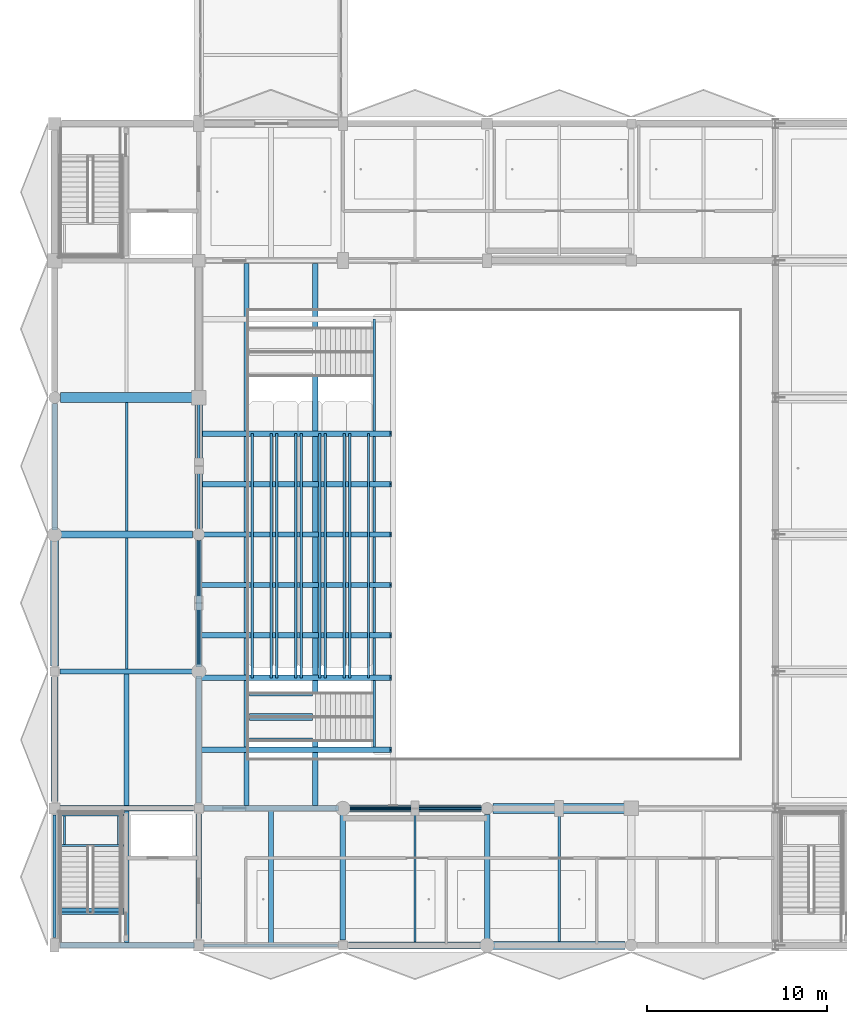
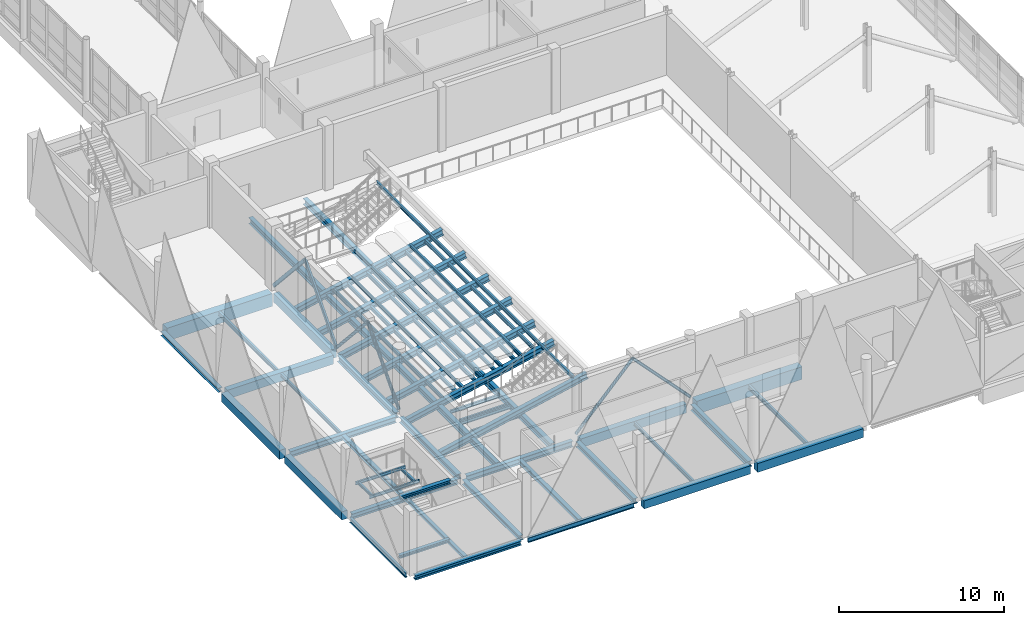
# One storey, part 11 of 141: 58 beams, 6 members.
"""IFC4 building model written with IfcOpenShell, lengths in metres."""

import ifcopenshell
import ifcopenshell.guid

model = None  # the IFC model being written
_history = None  # IfcOwnerHistory: only IFC2X3 demands one
_inside = {}  # id of a spatial element -> (the spatial element, [elements in it])
_under = {}  # id of a project, library or spatial element -> (it, [spatial elements below it])
_declared = {}  # id of a project -> (the project, [libraries it declares])
_typed = {}  # id of a type object -> (the type object, [elements of that type])
_made_of = {}  # id of a material, layer set ... -> (it, [elements and type objects made of it])


def new_model(schema):
    """Start an empty IFC model of exactly this schema.

    Asked for "IFC4X3", IfcOpenShell would pick the latest addendum, in which some entities
    have other attributes; the version numbers below select the first issue.
    IFC2X3 requires an IfcOwnerHistory on every rooted entity: one is made here for all.
    """
    global model, _history
    if schema == "IFC4X3":
        model = ifcopenshell.file(schema_version=(4, 3, 0, 0))
    else:
        model = ifcopenshell.file(schema=schema)
    _inside.clear()
    _under.clear()
    _declared.clear()
    _typed.clear()
    _made_of.clear()
    _history = None
    if model.schema == "IFC2X3":
        org = make("IfcOrganization", Name="unknown")
        user = make(
            "IfcPersonAndOrganization",
            ThePerson=make("IfcPerson", FamilyName="unknown"),
            TheOrganization=org,
        )
        app = make(
            "IfcApplication",
            ApplicationDeveloper=org,
            Version="unknown",
            ApplicationFullName="unknown",
            ApplicationIdentifier="unknown",
        )
        _history = make(
            "IfcOwnerHistory",
            OwningUser=user,
            OwningApplication=app,
            ChangeAction="ADDED",
            CreationDate=0,
        )
    return model


def make(cls, **values):
    """One entity of the class cls with the attributes given. An attribute that is None is left unset."""
    return model.create_entity(
        cls, **{name: value for name, value in values.items() if value is not None}
    )


def rooted(cls, **values):
    """An entity with a GlobalId (a new one), such as an element, a storey or a relation."""
    return make(cls, GlobalId=ifcopenshell.guid.new(), OwnerHistory=_history, **values)


def si_unit(unit_type, name, prefix=None):
    """IfcSIUnit, for example si_unit("LENGTHUNIT", "METRE", prefix="MILLI")."""
    return make("IfcSIUnit", UnitType=unit_type, Prefix=prefix, Name=name)


def assignment(units):
    """IfcUnitAssignment: the units of a project."""
    return None if units is None else make("IfcUnitAssignment", Units=units)


def point(xyz):
    """IfcCartesianPoint."""
    return None if xyz is None else make("IfcCartesianPoint", Coordinates=xyz)


def direction(xyz):
    """IfcDirection."""
    return None if xyz is None else make("IfcDirection", DirectionRatios=xyz)


def frame(location, z_axis=None, x_axis=None):
    """IfcAxis2Placement3D, a coordinate frame: its origin and axes. An axis left out is left unset."""
    return make(
        "IfcAxis2Placement3D",
        Location=point(location),
        Axis=direction(z_axis),
        RefDirection=direction(x_axis),
    )


def frame_2d(location, x_axis=None):
    """IfcAxis2Placement2D, a coordinate frame in the plane: its origin and x axis."""
    return make(
        "IfcAxis2Placement2D", Location=point(location), RefDirection=direction(x_axis)
    )


def origin():
    """The frame at (0, 0, 0) with its axes left unset."""
    return frame((0.0, 0.0, 0.0))


def origin_2d():
    """The frame at (0, 0) in the plane with its x axis left unset."""
    return frame_2d((0.0, 0.0))


def place(relative_to, where):
    """IfcLocalPlacement: puts the frame where relative to a parent placement (None: the world)."""
    return make(
        "IfcLocalPlacement", PlacementRelTo=relative_to, RelativePlacement=where
    )


def context(
    kind, dimensions, precision=None, world=None, true_north=None, identifier=None
):
    """IfcGeometricRepresentationContext, for example the 3D "Model" context."""
    return make(
        "IfcGeometricRepresentationContext",
        ContextIdentifier=identifier,
        ContextType=kind,
        CoordinateSpaceDimension=dimensions,
        Precision=precision,
        WorldCoordinateSystem=world,
        TrueNorth=true_north,
    )


def subcontext(parent, identifier, kind, view, scale=None):
    """IfcGeometricRepresentationSubContext, for example "Body" below "Model"."""
    return make(
        "IfcGeometricRepresentationSubContext",
        ContextIdentifier=identifier,
        ContextType=kind,
        ParentContext=parent,
        TargetScale=scale,
        TargetView=view,
    )


def project(units=None, contexts=None):
    """IfcProject with its units and contexts."""
    return rooted(
        "IfcProject",
        Name="project",
        RepresentationContexts=contexts,
        UnitsInContext=assignment(units),
    )


def spatial(cls, under=None, at=None, **own):
    """A site, building, storey or space (cls), placed at a placement, below another one or the project."""
    s = rooted(cls, ObjectPlacement=at, **own)
    if under is not None:
        _under.setdefault(under.id(), (under, []))[1].append(s)
    return s


def profile(cls, at=None, kind="AREA", **sizes):
    """A parametric profile (cls). Its sizes go by their IFC names, for example OverallWidth=200.0."""
    return make(cls, ProfileType=kind, Position=at, **sizes)


def rectangle(**sizes):
    """IfcRectangleProfileDef."""
    return profile("IfcRectangleProfileDef", **sizes)


def hollow_rectangle(**sizes):
    """IfcRectangleHollowProfileDef."""
    return profile("IfcRectangleHollowProfileDef", **sizes)


def hollow_circle(**sizes):
    """IfcCircleHollowProfileDef."""
    return profile("IfcCircleHollowProfileDef", **sizes)


def i_section(**sizes):
    """IfcIShapeProfileDef."""
    return profile("IfcIShapeProfileDef", **sizes)


def extrude(swept, where, along, depth):
    """IfcExtrudedAreaSolid: the profile swept, set in the frame where, extruded along a direction by depth."""
    return make(
        "IfcExtrudedAreaSolid",
        SweptArea=swept,
        Position=where,
        ExtrudedDirection=direction(along),
        Depth=depth,
    )


def shape(context_of_items, identifier, shape_type, items):
    """IfcShapeRepresentation: the items that make up one representation, for example the "Body"."""
    return make(
        "IfcShapeRepresentation",
        ContextOfItems=context_of_items,
        RepresentationIdentifier=identifier,
        RepresentationType=shape_type,
        Items=items,
    )


def material(Name=None, Category=None):
    """IfcMaterial."""
    return make("IfcMaterial", Name=Name, Category=Category)


def material_profile(
    of_material, cross_section, Name=None, Category=None, Priority=None
):
    """IfcMaterialProfile: a cross section and its material."""
    return make(
        "IfcMaterialProfile",
        Name=Name,
        Material=of_material,
        Profile=cross_section,
        Priority=Priority,
        Category=Category,
    )


def profile_set(profiles, Name=None, composite=None):
    """IfcMaterialProfileSet."""
    return make(
        "IfcMaterialProfileSet",
        Name=Name,
        MaterialProfiles=profiles,
        CompositeProfile=composite,
    )


def made_of(thing, what):
    """Note that an element or type object is made of a material, layer set ...; save() writes the relation."""
    if what is not None:
        _made_of.setdefault(what.id(), (what, []))[1].append(thing)
    return thing


def type_object(cls, material=None, **own):
    """A type object (cls), such as IfcWallType, which elements share."""
    return made_of(rooted(cls, **own), material)


def element(
    cls,
    number,
    at=None,
    inside=None,
    cuts=None,
    type_object=None,
    material=None,
    context=None,
    identifier="Body",
    shape_type=None,
    held_by="IfcProductDefinitionShape",
    body=None,
    shapes=None,
    **own,
):
    """One element of the class cls, such as IfcWall. Its Tag is "e" and its number.

    at: its placement. inside: the storey or other place that contains it. cuts: it is an
    opening in that element (IfcRelVoidsElement). A single representation is given by context,
    identifier, shape_type and body (its items); several are given by shapes. held_by: the class
    of the entity that holds the representations. save() writes the other relations.
    """
    e = rooted(cls, Tag="e%d" % number, ObjectPlacement=at, **own)
    if body is not None:
        shapes = [shape(context, identifier, shape_type, body)]
    if shapes is not None:
        e.Representation = make(held_by, Representations=shapes)
    if inside is not None:
        _inside.setdefault(inside.id(), (inside, []))[1].append(e)
    if cuts is not None:
        rooted(
            "IfcRelVoidsElement", RelatingBuildingElement=cuts, RelatedOpeningElement=e
        )
    if type_object is not None:
        _typed.setdefault(type_object.id(), (type_object, []))[1].append(e)
    return made_of(e, material)


def aggregate(whole, parts):
    """IfcRelAggregates: a whole, such as a stair, and the parts it consists of."""
    return rooted("IfcRelAggregates", RelatingObject=whole, RelatedObjects=parts)


def save(model, path):
    """Write the relations noted so far, then the file.

    IfcRelAggregates (storeys below a building ...), IfcRelContainedInSpatialStructure (elements
    in a storey), IfcRelDefinesByType, IfcRelAssociatesMaterial and IfcRelDeclares: one each for
    every whole, place, type object, material and project.
    """
    for whole, parts in _under.values():
        aggregate(whole, parts)
    for where, things in _inside.values():
        rooted(
            "IfcRelContainedInSpatialStructure",
            RelatedElements=things,
            RelatingStructure=where,
        )
    for kind, things in _typed.values():
        rooted("IfcRelDefinesByType", RelatedObjects=things, RelatingType=kind)
    for what, things in _made_of.values():
        rooted("IfcRelAssociatesMaterial", RelatedObjects=things, RelatingMaterial=what)
    for by, libraries in _declared.values():
        rooted("IfcRelDeclares", RelatingContext=by, RelatedDefinitions=libraries)
    model.write(path)


model = new_model("IFC4")

# Units and contexts
model_context = context("Model", 3, precision=1e-05, world=origin(), true_north=direction((0.0, 1.0)))
body_context = subcontext(model_context, "Body", "Model", "MODEL_VIEW")
ifc_project = project(units=[si_unit("LENGTHUNIT", "METRE"), si_unit("AREAUNIT", "SQUARE_METRE"), si_unit("VOLUMEUNIT", "CUBIC_METRE"), si_unit("PLANEANGLEUNIT", "RADIAN"), si_unit("MASSUNIT", "GRAM", prefix="KILO")], contexts=[model_context])

# Site, building, storey
site_placement = place(None, origin())
site = spatial("IfcSite", under=ifc_project, at=site_placement, CompositionType="ELEMENT")
building_placement = place(site_placement, origin())
building = spatial("IfcBuilding", under=site, at=building_placement, Name="Khelvaren Railside Concert Hall", CompositionType="ELEMENT")
storey_placement = place(building_placement, frame((0.0, 0.0, 10.199951171875)))
storey = spatial("IfcBuildingStorey", under=building, at=storey_placement, Name="L02", CompositionType="ELEMENT", Elevation=10.199951171875)

# Beams
ifc_material_1 = material(Name="Steel S355", Category="steel")
ifc_material_profile_1 = material_profile(ifc_material_1, i_section(OverallWidth=0.300048828125, OverallDepth=0.389892578125, WebThickness=0.010986328125, FlangeThickness=0.01904296875, FilletRadius=0.027099609375, at=origin_2d()), Name="HEA 400")
ifc_profile_set_1 = profile_set([ifc_material_profile_1], Name="Steel S355")
beam_type_1 = type_object("IfcBeamType", Name="BM23", PredefinedType="BEAM", material=ifc_profile_set_1)
beam_1_placement = place(storey_placement, frame((0.25, 7.60009765625, -0.48486328125), z_axis=(1.0, 0.0, 0.0), x_axis=(0.0, 1.0, 0.0)))
element("IfcBeam", 1, at=beam_1_placement, inside=storey, type_object=beam_type_1, Name="V1 L02 Beam X2.1", PredefinedType="BEAM", context=body_context, shape_type="SweptSolid", body=[
    extrude(i_section(OverallWidth=0.300048828125, OverallDepth=0.389892578125, WebThickness=0.010986328125, FlangeThickness=0.01904296875, FilletRadius=0.027099609375, at=origin_2d()), origin(), (0.0, 0.0, 1.0), 7.449951171875),
])
for number, where, z_axis, x_axis, name in (
    (2, (8.0, 7.89990234375, -0.48486328125), (0.0, 1.0, 0.0), (-1.0, 0.0, 0.0), "V1 L02 Beam Y2.2"),
    (3, (16.0, 0.300048828125, -0.48486328125), (0.0, 1.0, 0.0), (-1.0, 0.0, 0.0), "V1 L02 Beam Y3.1"),
):
    element("IfcBeam", number, at=place(storey_placement, frame(where, z_axis=z_axis, x_axis=x_axis)), inside=storey, type_object=beam_type_1, Name=name, PredefinedType="BEAM", context=body_context, shape_type="SweptSolid", body=[
        extrude(i_section(OverallWidth=0.300048828125, OverallDepth=0.389892578125, WebThickness=0.010986328125, FlangeThickness=0.01904296875, FilletRadius=0.027099609375, at=origin_2d()), origin(), (0.0, 0.0, 1.0), 7.050048828125),
    ])
ifc_material_profile_2 = material_profile(ifc_material_1, i_section(OverallWidth=0.1201171875, OverallDepth=0.239990234375, WebThickness=0.006103515625, FlangeThickness=0.009765625, FilletRadius=0.014892578125, at=origin_2d()), Name="IPE 240")
ifc_profile_set_2 = profile_set([ifc_material_profile_2], Name="Steel S355")
beam_type_2 = type_object("IfcBeamType", Name="BM30", PredefinedType="BEAM", material=ifc_profile_set_2)
for number, where, z_axis, x_axis, name in (
    (4, (10.81005859375, 11.449951171875, -0.320068359375), (1.0, 0.0, 0.0), (0.0, 1.0, 0.0), "Vomitory Landing Stringer ST-21-S"),
    (5, (10.81005859375, 12.550048828125, -0.320068359375), (1.0, 0.0, 0.0), (0.0, 1.0, 0.0), "Vomitory Landing Stringer ST-21-N"),
    (6, (10.81005859375, 12.800048828125, -0.320068359375), (1.0, 0.0, 0.0), (0.0, 1.0, 0.0), "Vomitory Landing Stringer ST-22-S"),
    (7, (10.81005859375, 13.89990234375, -0.320068359375), (1.0, 0.0, 0.0), (0.0, 1.0, 0.0), "Vomitory Landing Stringer ST-22-N"),
):
    element("IfcBeam", number, at=place(storey_placement, frame(where, z_axis=z_axis, x_axis=x_axis)), inside=storey, type_object=beam_type_2, Name=name, PredefinedType="BEAM", context=body_context, shape_type="SweptSolid", body=[
        extrude(i_section(OverallWidth=0.1201171875, OverallDepth=0.239990234375, WebThickness=0.006103515625, FlangeThickness=0.009765625, FilletRadius=0.014892578125, at=origin_2d()), origin(), (0.0, 0.0, 1.0), 3.510009765625),
    ])
ifc_material_2 = material(Name="Concrete C40/50", Category="concrete")
ifc_material_profile_3 = material_profile(ifc_material_2, rectangle(XDim=0.39990234375, YDim=0.64990234375, at=origin_2d()), Name="RCB 400x650")
ifc_profile_set_3 = profile_set([ifc_material_profile_3], Name="Concrete C40/50")
beam_type_3 = type_object("IfcBeamType", Name="BM33", PredefinedType="BEAM", material=ifc_profile_set_3)
for number, where, z_axis, x_axis, name in (
    (8, (16.25, 7.60009765625, -0.614990234375), (1.0, 0.0, 0.0), (0.0, 1.0, 0.0), "V1 L02 Beam X2.3"),
    (9, (0.25, 22.800048828125, -0.614990234375), (1.0, 0.0, 0.0), (0.0, 1.0, 0.0), "V1 L02 Beam X4.1"),
):
    element("IfcBeam", number, at=place(storey_placement, frame(where, z_axis=z_axis, x_axis=x_axis)), inside=storey, type_object=beam_type_3, Name=name, PredefinedType="BEAM", context=body_context, shape_type="SweptSolid", body=[
        extrude(rectangle(XDim=0.39990234375, YDim=0.64990234375, at=origin_2d()), origin(), (0.0, 0.0, 1.0), 7.4140625),
    ])
beam_2_placement = place(storey_placement, frame((8.0, 23.135986328125, -0.614990234375), z_axis=(0.0, 1.0, 0.0), x_axis=(-1.0, 0.0, 0.0)))
element("IfcBeam", 10, at=beam_2_placement, inside=storey, type_object=beam_type_3, Name="V1 L02 Beam Y2.4", PredefinedType="BEAM", context=body_context, shape_type="SweptSolid", body=[
    extrude(rectangle(XDim=0.39990234375, YDim=0.64990234375, at=origin_2d()), origin(), (0.0, 0.0, 1.0), 6.990966796875),
])
ifc_material_profile_4 = material_profile(ifc_material_1, i_section(OverallWidth=0.239990234375, OverallDepth=0.22998046875, WebThickness=0.007568359375, FlangeThickness=0.011962890625, FilletRadius=0.02099609375, at=origin_2d()), Name="HEA 240")
ifc_profile_set_4 = profile_set([ifc_material_profile_4], Name="Steel S355")
beam_type_4 = type_object("IfcBeamType", Name="BM42", PredefinedType="BEAM", material=ifc_profile_set_4)
beam_3_placement = place(storey_placement, frame((0.344970703125, 1.960693359375, -0.114990234375), z_axis=(1.0, 0.0, 0.0), x_axis=(0.0, 1.0, 0.0)))
element("IfcBeam", 11, at=beam_3_placement, inside=storey, type_object=beam_type_4, Name="ST-01 L02 Stair Foot Trimmer Beam", PredefinedType="BEAM", context=body_context, shape_type="SweptSolid", body=[
    extrude(i_section(OverallWidth=0.239990234375, OverallDepth=0.22998046875, WebThickness=0.007568359375, FlangeThickness=0.011962890625, FilletRadius=0.02099609375, at=origin_2d()), origin(), (0.0, 0.0, 1.0), 3.4951171875),
])
ifc_material_profile_5 = material_profile(ifc_material_1, i_section(OverallWidth=0.300048828125, OverallDepth=0.35009765625, WebThickness=0.010009765625, FlangeThickness=0.017578125, FilletRadius=0.027099609375, at=origin_2d()), Name="HEA 360")
ifc_profile_set_5 = profile_set([ifc_material_profile_5], Name="Steel S355")
beam_type_5 = type_object("IfcBeamType", Name="BM73", PredefinedType="BEAM", material=ifc_profile_set_5)
beam_4_placement = place(storey_placement, frame((8.0, 0.375, -0.46484375), z_axis=(0.0, 1.0, 0.0), x_axis=(-1.0, 0.0, 0.0)))
element("IfcBeam", 12, at=beam_4_placement, inside=storey, type_object=beam_type_5, Name="V1 L02 Beam Y2.1", PredefinedType="BEAM", context=body_context, shape_type="SweptSolid", body=[
    extrude(i_section(OverallWidth=0.300048828125, OverallDepth=0.35009765625, WebThickness=0.010009765625, FlangeThickness=0.017578125, FilletRadius=0.027099609375, at=origin_2d()), origin(), (0.0, 0.0, 1.0), 6.925048828125),
])
ifc_material_profile_6 = material_profile(ifc_material_1, i_section(OverallWidth=0.110107421875, OverallDepth=0.219970703125, WebThickness=0.005859375, FlangeThickness=0.00927734375, FilletRadius=0.011962890625, at=origin_2d()), Name="IPE 220")
ifc_profile_set_6 = profile_set([ifc_material_profile_6], Name="Steel S355")
beam_type_6 = type_object("IfcBeamType", Name="BM87", PredefinedType="BEAM", material=ifc_profile_set_6)
for number, where, z_axis, x_axis, name in (
    (13, (0.344970703125, 5.544921875, 2.090087890625), (1.0, 0.0, 0.0), (0.0, 1.0, 0.0), "ST-01 L02 Half-Landing Front Beam"),
    (14, (0.344970703125, 7.239990234375, 2.090087890625), (1.0, 0.0, 0.0), (0.0, 1.0, 0.0), "ST-01 L02 Half-Landing Rear Beam"),
):
    element("IfcBeam", number, at=place(storey_placement, frame(where, z_axis=z_axis, x_axis=x_axis)), inside=storey, type_object=beam_type_6, Name=name, PredefinedType="BEAM", context=body_context, shape_type="SweptSolid", body=[
        extrude(i_section(OverallWidth=0.110107421875, OverallDepth=0.219970703125, WebThickness=0.005859375, FlangeThickness=0.00927734375, FilletRadius=0.011962890625, at=origin_2d()), origin(), (0.0, 0.0, 1.0), 3.4951171875),
    ])
for number, where, z_axis, x_axis, name in (
    (15, (0.550048828125, 5.60009765625, 2.090087890625), (0.0, 1.0, 0.0), (-1.0, 0.0, 0.0), "ST-01 L02 Half-Landing Side Tie W"),
    (16, (3.550048828125, 5.60009765625, 2.090087890625), (0.0, 1.0, 0.0), (-1.0, 0.0, 0.0), "ST-01 L02 Half-Landing Side Tie E"),
):
    element("IfcBeam", number, at=place(storey_placement, frame(where, z_axis=z_axis, x_axis=x_axis)), inside=storey, type_object=beam_type_6, Name=name, PredefinedType="BEAM", context=body_context, shape_type="SweptSolid", body=[
        extrude(i_section(OverallWidth=0.110107421875, OverallDepth=0.219970703125, WebThickness=0.005859375, FlangeThickness=0.00927734375, FilletRadius=0.011962890625, at=origin_2d()), origin(), (0.0, 0.0, 1.0), 1.5849609375),
    ])
ifc_material_profile_7 = material_profile(ifc_material_1, i_section(OverallWidth=0.300048828125, OverallDepth=0.43994140625, WebThickness=0.011474609375, FlangeThickness=0.02099609375, FilletRadius=0.027099609375, at=origin_2d()), Name="HEA 450")
ifc_profile_set_7 = profile_set([ifc_material_profile_7], Name="Steel S355")
beam_type_7 = type_object("IfcBeamType", Name="BM89", PredefinedType="BEAM", material=ifc_profile_set_7)
for number, where, z_axis, x_axis, name in (
    (17, (8.300048828125, 7.60009765625, -0.510009765625), (1.0, 0.0, 0.0), (0.0, 1.0, 0.0), "V1 L02 Beam X2.2"),
    (18, (0.300048828125, 15.199951171875, -0.510009765625), (1.0, 0.0, 0.0), (0.0, 1.0, 0.0), "V1 L02 Beam X3.1"),
):
    element("IfcBeam", number, at=place(storey_placement, frame(where, z_axis=z_axis, x_axis=x_axis)), inside=storey, type_object=beam_type_7, Name=name, PredefinedType="BEAM", context=body_context, shape_type="SweptSolid", body=[
        extrude(i_section(OverallWidth=0.300048828125, OverallDepth=0.43994140625, WebThickness=0.011474609375, FlangeThickness=0.02099609375, FilletRadius=0.027099609375, at=origin_2d()), origin(), (0.0, 0.0, 1.0), 7.449951171875),
    ])
beam_5_placement = place(storey_placement, frame((8.0, 15.449951171875, -0.510009765625), z_axis=(0.0, 1.0, 0.0), x_axis=(-1.0, 0.0, 0.0)))
element("IfcBeam", 19, at=beam_5_placement, inside=storey, type_object=beam_type_7, Name="V1 L02 Beam Y2.3", PredefinedType="BEAM", context=body_context, shape_type="SweptSolid", body=[
    extrude(i_section(OverallWidth=0.300048828125, OverallDepth=0.43994140625, WebThickness=0.011474609375, FlangeThickness=0.02099609375, FilletRadius=0.027099609375, at=origin_2d()), origin(), (0.0, 0.0, 1.0), 7.01416015625),
])
beam_6_placement = place(storey_placement, frame((24.0, 0.25, -0.510009765625), z_axis=(0.0, 1.0, 0.0), x_axis=(-1.0, 0.0, 0.0)))
element("IfcBeam", 20, at=beam_6_placement, inside=storey, type_object=beam_type_7, Name="V1 L02 Beam Y4.1", PredefinedType="BEAM", context=body_context, shape_type="SweptSolid", body=[
    extrude(i_section(OverallWidth=0.300048828125, OverallDepth=0.43994140625, WebThickness=0.011474609375, FlangeThickness=0.02099609375, FilletRadius=0.027099609375, at=origin_2d()), origin(), (0.0, 0.0, 1.0), 7.013916015625),
])
ifc_material_profile_8 = material_profile(ifc_material_1, i_section(OverallWidth=0.280029296875, OverallDepth=0.27001953125, WebThickness=0.008056640625, FlangeThickness=0.012939453125, FilletRadius=0.02392578125, at=origin_2d()), Name="HEA 280")
ifc_profile_set_8 = profile_set([ifc_material_profile_8], Name="Steel S355")
beam_type_8 = type_object("IfcBeamType", Name="BM93", PredefinedType="BEAM", material=ifc_profile_set_8)
beam_7_placement = place(storey_placement, frame((0.344970703125, 1.860107421875, 4.317626953125), z_axis=(1.0, 0.0, 0.0), x_axis=(0.0, 1.0, 0.0)))
element("IfcBeam", 21, at=beam_7_placement, inside=storey, type_object=beam_type_8, Name="ST-01 L02 Stair Top Arrival Trimmer Beam", PredefinedType="BEAM", context=body_context, shape_type="SweptSolid", body=[
    extrude(i_section(OverallWidth=0.280029296875, OverallDepth=0.27001953125, WebThickness=0.008056640625, FlangeThickness=0.012939453125, FilletRadius=0.02392578125, at=origin_2d()), origin(), (0.0, 0.0, 1.0), 3.4951171875),
])

# Members
ifc_material_profile_9 = material_profile(ifc_material_1, hollow_circle(Radius=0.109619140625, WallThickness=0.012451171875, at=origin_2d()), Name="CHS 219.1x12.5")
ifc_profile_set_9 = profile_set([ifc_material_profile_9], Name="Steel S355")
member_type_1 = type_object("IfcMemberType", Name="BR37", PredefinedType="BRACE", material=ifc_profile_set_9)
for number, where, z_axis, x_axis, name in (
    (22, (8.0, 15.199951171875, 0.050048828125), (0.0, 0.669166601907, 0.743112413361), (-1.0, 0.0, 0.0), "V1 L02 Seismic Chevron Brace 5"),
    (23, (8.0, 22.800048828125, 0.050048828125), (0.0, -0.669166601907, 0.743112413361), (1.0, 0.0, 0.0), "V1 L02 Seismic Chevron Brace 6"),
):
    element("IfcMember", number, at=place(storey_placement, frame(where, z_axis=z_axis, x_axis=x_axis)), inside=storey, type_object=member_type_1, Name=name, PredefinedType="BRACE", context=body_context, shape_type="SweptSolid", body=[
        extrude(hollow_circle(Radius=0.109619140625, WallThickness=0.012451171875, at=origin_2d()), origin(), (0.0, 0.0, 1.0), 5.6787109375),
    ])
for number, where, z_axis, x_axis, name in (
    (24, (16.0, 7.60009765625, 0.050048828125), (0.687937954056, 0.0, 0.725769502921), (0.0, 1.0, 0.0), "V1 L02 Seismic Chevron Brace 25"),
    (25, (24.0, 7.60009765625, 0.050048828125), (-0.687937954056, 0.0, 0.725769502921), (0.0, -1.0, 0.0), "V1 L02 Seismic Chevron Brace 26"),
):
    element("IfcMember", number, at=place(storey_placement, frame(where, z_axis=z_axis, x_axis=x_axis)), inside=storey, type_object=member_type_1, Name=name, PredefinedType="BRACE", context=body_context, shape_type="SweptSolid", body=[
        extrude(hollow_circle(Radius=0.109619140625, WallThickness=0.012451171875, at=origin_2d()), origin(), (0.0, 0.0, 1.0), 5.814453125),
    ])
ifc_material_profile_10 = material_profile(ifc_material_1, hollow_rectangle(XDim=0.14990234375, YDim=0.25, WallThickness=0.012451171875, InnerFilletRadius=0.012451171875, OuterFilletRadius=0.01904296875, at=origin_2d()), Name="RHS 250x150x12.5")
ifc_profile_set_10 = profile_set([ifc_material_profile_10], Name="Steel S355")
member_type_2 = type_object("IfcMemberType", Name="BR52", PredefinedType="BRACE", material=ifc_profile_set_10)
for number, where, z_axis, x_axis, name in (
    (26, (8.0, 22.800048828125, 0.050048828125), (0.0, 0.669166601907, 0.743112413361), (-1.0, 0.0, 0.0), "V1 L02 Seismic Chevron Brace 15"),
    (27, (8.0, 30.39990234375, 0.050048828125), (0.0, -0.669142860148, 0.743133791933), (1.0, 0.0, 0.0), "V1 L02 Seismic Chevron Brace 16"),
):
    element("IfcMember", number, at=place(storey_placement, frame(where, z_axis=z_axis, x_axis=x_axis)), inside=storey, type_object=member_type_2, Name=name, PredefinedType="BRACE", context=body_context, shape_type="SweptSolid", body=[
        extrude(hollow_rectangle(XDim=0.14990234375, YDim=0.25, WallThickness=0.012451171875, InnerFilletRadius=0.012451171875, OuterFilletRadius=0.01904296875, at=origin_2d()), origin(), (0.0, 0.0, 1.0), 5.6787109375),
    ])

# Beams
ifc_material_profile_11 = material_profile(ifc_material_1, i_section(OverallWidth=0.300048828125, OverallDepth=0.449951171875, WebThickness=0.013916015625, FlangeThickness=0.02587890625, FilletRadius=0.027099609375, at=origin_2d()), Name="HEB 450")
ifc_profile_set_11 = profile_set([ifc_material_profile_11], Name="Steel S355")
beam_type_9 = type_object("IfcBeamType", Name="GR52", PredefinedType="T_BEAM", material=ifc_profile_set_11)
for number, where, z_axis, x_axis, name in (
    (28, (14.469970703125, 7.77490234375, -0.425048828125), (0.0, 1.0, 0.0), (-1.0, 0.0, 0.0), "V1-L02 Vomitory Gallery Header Girder"),
    (29, (10.64990234375, 7.77490234375, -0.514892578125), (0.0, 1.0, 0.0), (-1.0, 0.0, 0.0), "V1-L02 Bowl Edge Trimmer Girder"),
):
    element("IfcBeam", number, at=place(storey_placement, frame(where, z_axis=z_axis, x_axis=x_axis)), inside=storey, type_object=beam_type_9, Name=name, PredefinedType="T_BEAM", context=body_context, shape_type="SweptSolid", body=[
        extrude(i_section(OverallWidth=0.300048828125, OverallDepth=0.449951171875, WebThickness=0.013916015625, FlangeThickness=0.02587890625, FilletRadius=0.027099609375, at=origin_2d()), origin(), (0.0, 0.0, 1.0), 30.050048828125),
    ])
ifc_material_profile_12 = material_profile(ifc_material_2, rectangle(XDim=0.550048828125, YDim=0.949951171875, at=origin_2d()), Name="RCB 550x950")
ifc_profile_set_12 = profile_set([ifc_material_profile_12], Name="Concrete C40/50")
beam_type_10 = type_object("IfcBeamType", Name="GR57", PredefinedType="T_BEAM", material=ifc_profile_set_12)
for number, where, z_axis, x_axis, name in (
    (30, (24.3359375, 7.60009765625, -0.764892578125), (1.0, 0.0, 0.0), (0.0, 1.0, 0.0), "V1 L02 T_Beam X2.4"),
    (31, (0.3359375, 30.39990234375, -0.764892578125), (1.0, 0.0, 0.0), (0.0, 1.0, 0.0), "V1 L02 T_Beam X5.1"),
):
    element("IfcBeam", number, at=place(storey_placement, frame(where, z_axis=z_axis, x_axis=x_axis)), inside=storey, type_object=beam_type_10, Name=name, PredefinedType="T_BEAM", context=body_context, shape_type="SweptSolid", body=[
        extrude(rectangle(XDim=0.550048828125, YDim=0.949951171875, at=origin_2d()), origin(), (0.0, 0.0, 1.0), 7.39111328125),
    ])
ifc_material_profile_13 = material_profile(ifc_material_1, i_section(OverallWidth=0.14990234375, OverallDepth=0.300048828125, WebThickness=0.007080078125, FlangeThickness=0.0107421875, FilletRadius=0.014892578125, at=origin_2d()), Name="IPE 300")
ifc_profile_set_13 = profile_set([ifc_material_profile_13], Name="Steel S355")
beam_type_11 = type_object("IfcBeamType", Name="JS26", PredefinedType="JOIST", material=ifc_profile_set_13)
beam_8_placement = place(storey_placement, frame((4.0, 23.0, -0.43994140625), z_axis=(0.0, 1.0, 0.0), x_axis=(-1.0, 0.0, 0.0)))
element("IfcBeam", 32, at=beam_8_placement, inside=storey, type_object=beam_type_11, Name="V1 L02 Secondary Joist 1.4", PredefinedType="JOIST", context=body_context, shape_type="SweptSolid", body=[
    extrude(i_section(OverallWidth=0.14990234375, OverallDepth=0.300048828125, WebThickness=0.007080078125, FlangeThickness=0.0107421875, FilletRadius=0.014892578125, at=origin_2d()), origin(), (0.0, 0.0, 1.0), 7.125),
])
beam_9_placement = place(storey_placement, frame((28.0, 0.22509765625, -0.43994140625), z_axis=(0.0, 1.0, 0.0), x_axis=(-1.0, 0.0, 0.0)))
element("IfcBeam", 33, at=beam_9_placement, inside=storey, type_object=beam_type_11, Name="V1 L02 Secondary Joist 4.1", PredefinedType="JOIST", context=body_context, shape_type="SweptSolid", body=[
    extrude(i_section(OverallWidth=0.14990234375, OverallDepth=0.300048828125, WebThickness=0.007080078125, FlangeThickness=0.0107421875, FilletRadius=0.014892578125, at=origin_2d()), origin(), (0.0, 0.0, 1.0), 7.099853515625),
])
ifc_material_profile_14 = material_profile(ifc_material_1, i_section(OverallWidth=0.280029296875, OverallDepth=0.27001953125, WebThickness=0.008056640625, FlangeThickness=0.012939453125, FilletRadius=0.02392578125, at=origin_2d()), Name="HEA 280")
ifc_profile_set_14 = profile_set([ifc_material_profile_14], Name="Steel S355")
beam_type_12 = type_object("IfcBeamType", Name="JS46", PredefinedType="JOIST", material=ifc_profile_set_14)
beam_10_placement = place(storey_placement, frame((4.0, 7.75, -0.425048828125), z_axis=(0.0, 1.0, 0.0), x_axis=(-1.0, 0.0, 0.0)))
element("IfcBeam", 34, at=beam_10_placement, inside=storey, type_object=beam_type_12, Name="V1 L02 Secondary Joist 1.2", PredefinedType="JOIST", context=body_context, shape_type="SweptSolid", body=[
    extrude(i_section(OverallWidth=0.280029296875, OverallDepth=0.27001953125, WebThickness=0.008056640625, FlangeThickness=0.012939453125, FilletRadius=0.02392578125, at=origin_2d()), origin(), (0.0, 0.0, 1.0), 7.300048828125),
])
beam_11_placement = place(storey_placement, frame((12.0, 0.0849609375, -0.425048828125), z_axis=(0.0, 1.0, 0.0), x_axis=(-1.0, 0.0, 0.0)))
element("IfcBeam", 35, at=beam_11_placement, inside=storey, type_object=beam_type_12, Name="V1 L02 Secondary Joist 2.1", PredefinedType="JOIST", context=body_context, shape_type="SweptSolid", body=[
    extrude(i_section(OverallWidth=0.280029296875, OverallDepth=0.27001953125, WebThickness=0.008056640625, FlangeThickness=0.012939453125, FilletRadius=0.02392578125, at=origin_2d()), origin(), (0.0, 0.0, 1.0), 7.364990234375),
])
ifc_material_profile_15 = material_profile(ifc_material_1, i_section(OverallWidth=0.239990234375, OverallDepth=0.22998046875, WebThickness=0.007568359375, FlangeThickness=0.011962890625, FilletRadius=0.02099609375, at=origin_2d()), Name="HEA 240")
ifc_profile_set_15 = profile_set([ifc_material_profile_15], Name="Steel S355")
beam_type_13 = type_object("IfcBeamType", Name="JS76", PredefinedType="JOIST", material=ifc_profile_set_15)
beam_12_placement = place(storey_placement, frame((4.0, 0.14990234375, -0.405029296875), z_axis=(0.0, 1.0, 0.0), x_axis=(-1.0, 0.0, 0.0)))
element("IfcBeam", 36, at=beam_12_placement, inside=storey, type_object=beam_type_13, Name="V1 L02 Secondary Joist 1.1", PredefinedType="JOIST", context=body_context, shape_type="SweptSolid", body=[
    extrude(i_section(OverallWidth=0.239990234375, OverallDepth=0.22998046875, WebThickness=0.007568359375, FlangeThickness=0.011962890625, FilletRadius=0.02099609375, at=origin_2d()), origin(), (0.0, 0.0, 1.0), 7.300048828125),
])
ifc_material_profile_16 = material_profile(ifc_material_1, i_section(OverallWidth=0.135009765625, OverallDepth=0.27001953125, WebThickness=0.006591796875, FlangeThickness=0.01025390625, FilletRadius=0.014892578125, at=origin_2d()), Name="IPE 270")
ifc_profile_set_16 = profile_set([ifc_material_profile_16], Name="Steel S355")
beam_type_14 = type_object("IfcBeamType", Name="JS78", PredefinedType="JOIST", material=ifc_profile_set_16)
beam_13_placement = place(storey_placement, frame((4.0, 15.35009765625, -0.425048828125), z_axis=(0.0, 1.0, 0.0), x_axis=(-1.0, 0.0, 0.0)))
element("IfcBeam", 37, at=beam_13_placement, inside=storey, type_object=beam_type_14, Name="V1 L02 Secondary Joist 1.3", PredefinedType="JOIST", context=body_context, shape_type="SweptSolid", body=[
    extrude(i_section(OverallWidth=0.135009765625, OverallDepth=0.27001953125, WebThickness=0.006591796875, FlangeThickness=0.01025390625, FilletRadius=0.014892578125, at=origin_2d()), origin(), (0.0, 0.0, 1.0), 7.25),
])
beam_14_placement = place(storey_placement, frame((20.0, 0.199951171875, -0.425048828125), z_axis=(0.0, 1.0, 0.0), x_axis=(-1.0, 0.0, 0.0)))
element("IfcBeam", 38, at=beam_14_placement, inside=storey, type_object=beam_type_14, Name="V1 L02 Secondary Joist 3.1", PredefinedType="JOIST", context=body_context, shape_type="SweptSolid", body=[
    extrude(i_section(OverallWidth=0.135009765625, OverallDepth=0.27001953125, WebThickness=0.006591796875, FlangeThickness=0.01025390625, FilletRadius=0.014892578125, at=origin_2d()), origin(), (0.0, 0.0, 1.0), 7.199951171875),
])
for number, where, z_axis, x_axis, name in (
    (39, (10.97998046875, 14.85009765625, -0.044921875), (0.0, 1.0, 0.0), (-1.0, 0.0, 0.0), "V1-L02 Seating Tier Step Joist 1B"),
    (40, (12.02001953125, 14.85009765625, -0.044921875), (0.0, 1.0, 0.0), (-1.0, 0.0, 0.0), "V1-L02 Seating Tier Step Joist 1F"),
    (41, (12.330078125, 14.85009765625, 0.295166015625), (0.0, 1.0, 0.0), (-1.0, 0.0, 0.0), "V1-L02 Seating Tier Step Joist 2B"),
    (42, (13.3701171875, 14.85009765625, 0.295166015625), (0.0, 1.0, 0.0), (-1.0, 0.0, 0.0), "V1-L02 Seating Tier Step Joist 2F"),
    (43, (13.679931640625, 14.85009765625, 0.635009765625), (0.0, 1.0, 0.0), (-1.0, 0.0, 0.0), "V1-L02 Seating Tier Step Joist 3B"),
    (44, (14.719970703125, 14.85009765625, 0.635009765625), (0.0, 1.0, 0.0), (-1.0, 0.0, 0.0), "V1-L02 Seating Tier Step Joist 3F"),
    (45, (15.030029296875, 14.85009765625, 0.97509765625), (0.0, 1.0, 0.0), (-1.0, 0.0, 0.0), "V1-L02 Seating Tier Step Joist 4B"),
    (46, (16.070068359375, 14.85009765625, 0.97509765625), (0.0, 1.0, 0.0), (-1.0, 0.0, 0.0), "V1-L02 Seating Tier Step Joist 4F"),
    (47, (16.3798828125, 14.85009765625, 1.31494140625), (0.0, 1.0, 0.0), (-1.0, 0.0, 0.0), "V1-L02 Seating Tier Step Joist 5B"),
    (48, (17.419921875, 14.85009765625, 1.31494140625), (0.0, 1.0, 0.0), (-1.0, 0.0, 0.0), "V1-L02 Seating Tier Step Joist 5F"),
):
    element("IfcBeam", number, at=place(storey_placement, frame(where, z_axis=z_axis, x_axis=x_axis)), inside=storey, type_object=beam_type_14, Name=name, PredefinedType="JOIST", context=body_context, shape_type="SweptSolid", body=[
        extrude(i_section(OverallWidth=0.135009765625, OverallDepth=0.27001953125, WebThickness=0.006591796875, FlangeThickness=0.01025390625, FilletRadius=0.014892578125, at=origin_2d()), origin(), (0.0, 0.0, 1.0), 13.5498046875),
    ])
beam_15_placement = place(storey_placement, frame((17.72998046875, 10.85009765625, 1.655029296875), z_axis=(0.0, 1.0, 0.0), x_axis=(-1.0, 0.0, 0.0)))
element("IfcBeam", 49, at=beam_15_placement, inside=storey, type_object=beam_type_14, Name="V1-L02 Seating Tier Step Joist 6B", PredefinedType="JOIST", context=body_context, shape_type="SweptSolid", body=[
    extrude(i_section(OverallWidth=0.135009765625, OverallDepth=0.27001953125, WebThickness=0.006591796875, FlangeThickness=0.01025390625, FilletRadius=0.014892578125, at=origin_2d()), origin(), (0.0, 0.0, 1.0), 23.89990234375),
])
ifc_material_profile_17 = material_profile(ifc_material_1, i_section(OverallWidth=0.300048828125, OverallDepth=0.449951171875, WebThickness=0.013916015625, FlangeThickness=0.02587890625, FilletRadius=0.027099609375, at=origin_2d()), Name="HEB 450")
ifc_profile_set_17 = profile_set([ifc_material_profile_17], Name="Steel S355")
beam_type_15 = type_object("IfcBeamType", Name="RK43", PredefinedType="USERDEFINED", material=ifc_profile_set_17)
for number, where, z_axis, x_axis, name in (
    (50, (8.169921875, 10.85009765625, -0.739990234375), (0.976752826858, 0.0, 0.214368643289), (0.0, 1.0, 0.0), "V1-L02 Balcony Raker Beam 1"),
    (51, (8.169921875, 17.199951171875, -0.739990234375), (0.976752826858, 0.0, 0.214368643289), (0.0, 1.0, 0.0), "V1-L02 Balcony Raker Beam 3"),
    (52, (8.169921875, 22.800048828125, -0.739990234375), (0.976752826858, 0.0, 0.214368643289), (0.0, 1.0, 0.0), "V1-L02 Balcony Raker Beam 5"),
    (53, (8.169921875, 28.39990234375, -0.739990234375), (0.976752826858, 0.0, 0.214368643289), (0.0, 1.0, 0.0), "V1-L02 Balcony Raker Beam 7"),
):
    element("IfcBeam", number, at=place(storey_placement, frame(where, z_axis=z_axis, x_axis=x_axis)), inside=storey, type_object=beam_type_15, Name=name, ObjectType="RAKER", PredefinedType="USERDEFINED", context=body_context, shape_type="SweptSolid", body=[
        extrude(i_section(OverallWidth=0.300048828125, OverallDepth=0.449951171875, WebThickness=0.013916015625, FlangeThickness=0.02587890625, FilletRadius=0.027099609375, at=origin_2d()), origin(), (0.0, 0.0, 1.0), 10.7294921875),
    ])
ifc_material_profile_18 = material_profile(ifc_material_1, i_section(OverallWidth=0.300048828125, OverallDepth=0.43994140625, WebThickness=0.011474609375, FlangeThickness=0.02099609375, FilletRadius=0.027099609375, at=origin_2d()), Name="HEA 450")
ifc_profile_set_18 = profile_set([ifc_material_profile_18], Name="Steel S355")
beam_type_16 = type_object("IfcBeamType", Name="RK59", PredefinedType="USERDEFINED", material=ifc_profile_set_18)
for number, where, z_axis, x_axis, name in (
    (54, (8.169921875, 14.85009765625, -0.739990234375), (0.976752826858, 0.0, 0.214368643289), (0.0, 1.0, 0.0), "V1-L02 Balcony Raker Beam 2"),
    (55, (8.169921875, 20.0, -0.739990234375), (0.976752826858, 0.0, 0.214368643289), (0.0, 1.0, 0.0), "V1-L02 Balcony Raker Beam 4"),
    (56, (8.169921875, 25.60009765625, -0.739990234375), (0.976752826858, 0.0, 0.214368643289), (0.0, 1.0, 0.0), "V1-L02 Balcony Raker Beam 6"),
):
    element("IfcBeam", number, at=place(storey_placement, frame(where, z_axis=z_axis, x_axis=x_axis)), inside=storey, type_object=beam_type_16, Name=name, ObjectType="RAKER", PredefinedType="USERDEFINED", context=body_context, shape_type="SweptSolid", body=[
        extrude(i_section(OverallWidth=0.300048828125, OverallDepth=0.43994140625, WebThickness=0.011474609375, FlangeThickness=0.02099609375, FilletRadius=0.027099609375, at=origin_2d()), origin(), (0.0, 0.0, 1.0), 10.7294921875),
    ])
ifc_material_profile_19 = material_profile(ifc_material_2, rectangle(XDim=0.449951171875, YDim=0.64990234375, at=origin_2d()), Name="RCB 450x650")
ifc_profile_set_19 = profile_set([ifc_material_profile_19], Name="Concrete C40/50")
beam_type_17 = type_object("IfcBeamType", Name="SP34", PredefinedType="SPANDREL", material=ifc_profile_set_19)
beam_16_placement = place(storey_placement, frame((24.25, 0.0, -0.614990234375), z_axis=(1.0, 0.0, 0.0), x_axis=(0.0, 1.0, 0.0)))
element("IfcBeam", 57, at=beam_16_placement, inside=storey, type_object=beam_type_17, Name="V1 L02 Spandrel X1.4", PredefinedType="SPANDREL", context=body_context, shape_type="SweptSolid", body=[
    extrude(rectangle(XDim=0.449951171875, YDim=0.64990234375, at=origin_2d()), origin(), (0.0, 0.0, 1.0), 7.4140625),
])
beam_17_placement = place(storey_placement, frame((0.0, 15.5, -0.614990234375), z_axis=(0.0, 1.0, 0.0), x_axis=(-1.0, 0.0, 0.0)))
element("IfcBeam", 58, at=beam_17_placement, inside=storey, type_object=beam_type_17, Name="V1 L02 Spandrel Y1.3", PredefinedType="SPANDREL", context=body_context, shape_type="SweptSolid", body=[
    extrude(rectangle(XDim=0.449951171875, YDim=0.64990234375, at=origin_2d()), origin(), (0.0, 0.0, 1.0), 7.050048828125),
])
ifc_material_profile_20 = material_profile(ifc_material_1, i_section(OverallWidth=0.300048828125, OverallDepth=0.31005859375, WebThickness=0.009033203125, FlangeThickness=0.015380859375, FilletRadius=0.027099609375, at=origin_2d()), Name="HEA 320")
ifc_profile_set_20 = profile_set([ifc_material_profile_20], Name="Steel S355")
beam_type_18 = type_object("IfcBeamType", Name="SP66", PredefinedType="SPANDREL", material=ifc_profile_set_20)
beam_18_placement = place(storey_placement, frame((0.300048828125, 0.0, -0.445068359375), z_axis=(1.0, 0.0, 0.0), x_axis=(0.0, 1.0, 0.0)))
element("IfcBeam", 59, at=beam_18_placement, inside=storey, type_object=beam_type_18, Name="V1 L02 Spandrel X1.1", PredefinedType="SPANDREL", context=body_context, shape_type="SweptSolid", body=[
    extrude(i_section(OverallWidth=0.300048828125, OverallDepth=0.31005859375, WebThickness=0.009033203125, FlangeThickness=0.015380859375, FilletRadius=0.027099609375, at=origin_2d()), origin(), (0.0, 0.0, 1.0), 7.449951171875),
])
beam_19_placement = place(storey_placement, frame((0.0, 23.050048828125, -0.445068359375), z_axis=(0.0, 1.0, 0.0), x_axis=(-1.0, 0.0, 0.0)))
element("IfcBeam", 60, at=beam_19_placement, inside=storey, type_object=beam_type_18, Name="V1 L02 Spandrel Y1.4", PredefinedType="SPANDREL", context=body_context, shape_type="SweptSolid", body=[
    extrude(i_section(OverallWidth=0.300048828125, OverallDepth=0.31005859375, WebThickness=0.009033203125, FlangeThickness=0.015380859375, FilletRadius=0.027099609375, at=origin_2d()), origin(), (0.0, 0.0, 1.0), 7.013916015625),
])
ifc_material_profile_21 = material_profile(ifc_material_1, i_section(OverallWidth=0.169921875, OverallDepth=0.360107421875, WebThickness=0.008056640625, FlangeThickness=0.0126953125, FilletRadius=0.01806640625, at=origin_2d()), Name="IPE 360")
ifc_profile_set_21 = profile_set([ifc_material_profile_21], Name="Steel S355")
beam_type_19 = type_object("IfcBeamType", Name="SP74", PredefinedType="SPANDREL", material=ifc_profile_set_21)
beam_20_placement = place(storey_placement, frame((8.25, 0.0, -0.469970703125), z_axis=(1.0, 0.0, 0.0), x_axis=(0.0, 1.0, 0.0)))
element("IfcBeam", 61, at=beam_20_placement, inside=storey, type_object=beam_type_19, Name="V1 L02 Spandrel X1.2", PredefinedType="SPANDREL", context=body_context, shape_type="SweptSolid", body=[
    extrude(i_section(OverallWidth=0.169921875, OverallDepth=0.360107421875, WebThickness=0.008056640625, FlangeThickness=0.0126953125, FilletRadius=0.01806640625, at=origin_2d()), origin(), (0.0, 0.0, 1.0), 7.449951171875),
])
beam_21_placement = place(storey_placement, frame((0.0, 0.449951171875, -0.469970703125), z_axis=(0.0, 1.0, 0.0), x_axis=(-1.0, 0.0, 0.0)))
element("IfcBeam", 62, at=beam_21_placement, inside=storey, type_object=beam_type_19, Name="V1 L02 Spandrel Y1.1", PredefinedType="SPANDREL", context=body_context, shape_type="SweptSolid", body=[
    extrude(i_section(OverallWidth=0.169921875, OverallDepth=0.360107421875, WebThickness=0.008056640625, FlangeThickness=0.0126953125, FilletRadius=0.01806640625, at=origin_2d()), origin(), (0.0, 0.0, 1.0), 6.775146484375),
])
ifc_material_profile_22 = material_profile(ifc_material_2, rectangle(XDim=0.39990234375, YDim=0.60009765625, at=origin_2d()), Name="RCB 400x600")
ifc_profile_set_22 = profile_set([ifc_material_profile_22], Name="Concrete C40/50")
beam_type_20 = type_object("IfcBeamType", Name="SP75", PredefinedType="SPANDREL", material=ifc_profile_set_22)
beam_22_placement = place(storey_placement, frame((16.300048828125, 0.0, -0.58984375), z_axis=(1.0, 0.0, 0.0), x_axis=(0.0, 1.0, 0.0)))
element("IfcBeam", 63, at=beam_22_placement, inside=storey, type_object=beam_type_20, Name="V1 L02 Spandrel X1.3", PredefinedType="SPANDREL", context=body_context, shape_type="SweptSolid", body=[
    extrude(rectangle(XDim=0.39990234375, YDim=0.60009765625, at=origin_2d()), origin(), (0.0, 0.0, 1.0), 7.449951171875),
])
beam_23_placement = place(storey_placement, frame((0.0, 7.97509765625, -0.58984375), z_axis=(0.0, 1.0, 0.0), x_axis=(-1.0, 0.0, 0.0)))
element("IfcBeam", 64, at=beam_23_placement, inside=storey, type_object=beam_type_20, Name="V1 L02 Spandrel Y1.2", PredefinedType="SPANDREL", context=body_context, shape_type="SweptSolid", body=[
    extrude(rectangle(XDim=0.39990234375, YDim=0.60009765625, at=origin_2d()), origin(), (0.0, 0.0, 1.0), 6.9248046875),
])

save(model, "model.ifc")
